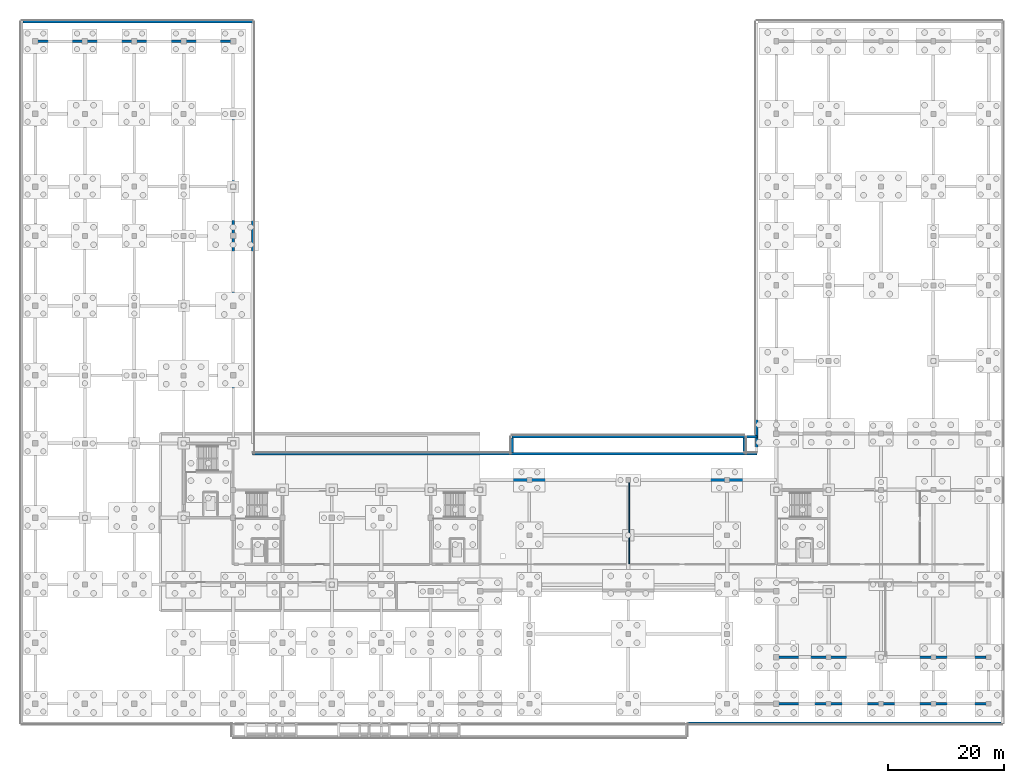
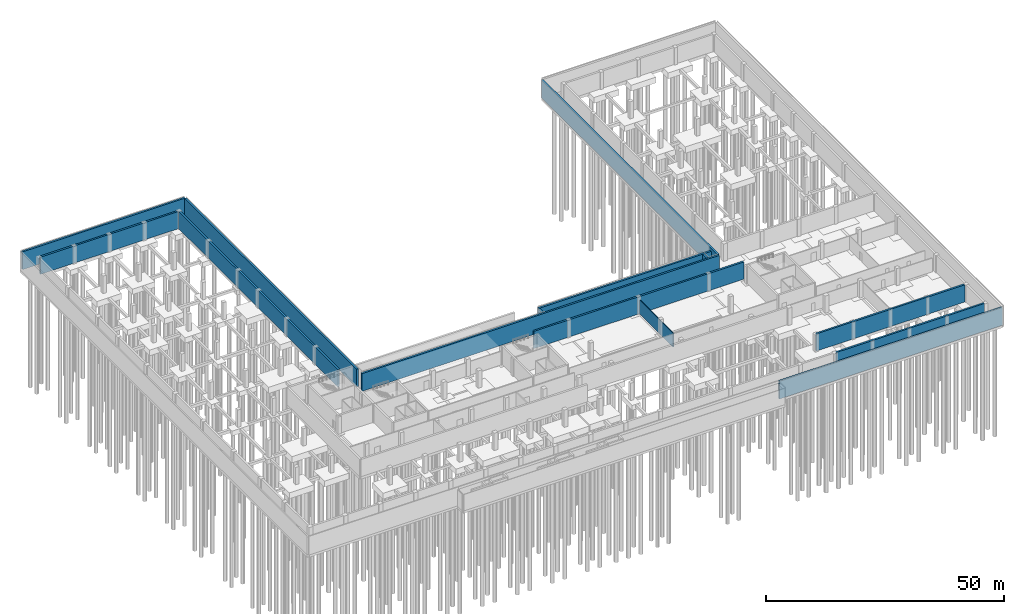
# One storey, part 14 of 25: 14 walls.
"""IFC4 building model written with IfcOpenShell, lengths in metres."""

from ifc_helpers import new_model, si_unit, direction, frame, frame_2d, origin, place, context, subcontext, project, spatial, rectangle, extrude, material, layer, layer_set, type_object, element, save


model = new_model("IFC4")

# Units and contexts
model_context = context("Model", 3, precision=1e-05, world=origin(), true_north=direction((0.0, 1.0)))
body_context = subcontext(model_context, "Body", "Model", "MODEL_VIEW")
ifc_project = project(units=[si_unit("LENGTHUNIT", "METRE"), si_unit("AREAUNIT", "SQUARE_METRE"), si_unit("VOLUMEUNIT", "CUBIC_METRE"), si_unit("PLANEANGLEUNIT", "RADIAN"), si_unit("MASSUNIT", "GRAM", prefix="KILO")], contexts=[model_context])

# Site, building, storey
site_placement = place(None, origin())
site = spatial("IfcSite", under=ifc_project, at=site_placement, CompositionType="ELEMENT")
building_placement = place(site_placement, origin())
building = spatial("IfcBuilding", under=site, at=building_placement, Name="Solvikara Media Centre", CompositionType="ELEMENT")
storey_placement = place(building_placement, frame((0.0, 0.0, -4.800048828125)))
storey = spatial("IfcBuildingStorey", under=building, at=storey_placement, Name="B01", CompositionType="ELEMENT", Elevation=-4.800048828125)

# Walls
ifc_material_1 = material(Name="Concrete fc' 45 MPa (C45/55)", Category="concrete")
ifc_layer_1 = layer(ifc_material_1, 0.449951171875)
ifc_layer_set_1 = layer_set([ifc_layer_1], Name="Concrete fc' 45 MPa (C45/55)")
wall_type_1 = type_object("IfcWallType", Name="WT-01", PredefinedType="SHEAR", material=ifc_layer_set_1)
wall_1_placement = place(storey_placement, frame((76.5, 38.5, 0.0), z_axis=(0.0, 0.0, 1.0), x_axis=(1.0, 0.0, 0.0)))
element("IfcWall", 1, at=wall_1_placement, inside=storey, type_object=wall_type_1, Name="W-B01-05", PredefinedType="SHEAR", context=body_context, shape_type="SweptSolid", body=[
    extrude(rectangle(XDim=51.0, YDim=0.449951171875, at=frame_2d((25.5, 0.0))), origin(), (0.0, 0.0, 1.0), 4.420166015625),
])
wall_2_placement = place(storey_placement, frame((127.5, 8.0, 0.0), z_axis=(0.0, 0.0, 1.0), x_axis=(1.0, 0.0, 0.0)))
element("IfcWall", 2, at=wall_2_placement, inside=storey, type_object=wall_type_1, Name="W-B01-06", PredefinedType="SHEAR", context=body_context, shape_type="SweptSolid", body=[
    extrude(rectangle(XDim=36.050048828125, YDim=0.449951171875, at=frame_2d((18.02490234375, 0.0))), origin(), (0.0, 0.0, 1.0), 4.420166015625),
])
wall_3_placement = place(storey_placement, frame((-2.14990234375, 117.3798828125, 0.0), z_axis=(0.0, 0.0, 1.0), x_axis=(1.0, 0.0, 0.0)))
element("IfcWall", 3, at=wall_3_placement, inside=storey, type_object=wall_type_1, Name="W-B01-09", PredefinedType="SHEAR", context=body_context, shape_type="SweptSolid", body=[
    extrude(rectangle(XDim=39.52978515625, YDim=0.449951171875, at=frame_2d((19.764892578125, 0.0))), origin(), (0.0, 0.0, 1.0), 4.550048828125),
])
wall_4_placement = place(storey_placement, frame((37.3798828125, 44.800048828125, 0.0), z_axis=(0.0, 0.0, 1.0), x_axis=(0.0, 1.0, 0.0)))
element("IfcWall", 4, at=wall_4_placement, inside=storey, type_object=wall_type_1, Name="W-B01-10", PredefinedType="SHEAR", context=body_context, shape_type="SweptSolid", body=[
    extrude(rectangle(XDim=72.349853515625, YDim=0.449951171875, at=frame_2d((36.1748046875, 0.0))), origin(), (0.0, 0.0, 1.0), 4.550048828125),
])
wall_5_placement = place(storey_placement, frame((37.3798828125, 43.0, 0.0), z_axis=(0.0, 0.0, 1.0), x_axis=(1.0, 0.0, 0.0)))
element("IfcWall", 5, at=wall_5_placement, inside=storey, type_object=wall_type_1, Name="W-B01-11", PredefinedType="SHEAR", context=body_context, shape_type="SweptSolid", body=[
    extrude(rectangle(XDim=86.740234375, YDim=0.449951171875, at=frame_2d((43.3701171875, 0.0))), origin(), (0.0, 0.0, 1.0), 4.550048828125),
])
wall_6_placement = place(storey_placement, frame((124.1201171875, 43.219970703125, 0.0), z_axis=(0.0, 0.0, 1.0), x_axis=(0.0, 1.0, 0.0)))
element("IfcWall", 6, at=wall_6_placement, inside=storey, type_object=wall_type_1, Name="W-B01-12", PredefinedType="SHEAR", context=body_context, shape_type="SweptSolid", body=[
    extrude(rectangle(XDim=73.929931640625, YDim=0.449951171875, at=frame_2d((36.96484375, 0.0))), origin(), (0.0, 0.0, 1.0), 4.550048828125),
])
wall_7_placement = place(storey_placement, frame((112.0, -3.330078125, 0.0), z_axis=(0.0, 0.0, 1.0), x_axis=(1.0, 0.0, 0.0)))
element("IfcWall", 7, at=wall_7_placement, inside=storey, type_object=wall_type_1, Name="W-B01-16", PredefinedType="SHEAR", context=body_context, shape_type="SweptSolid", body=[
    extrude(rectangle(XDim=54.14990234375, YDim=0.449951171875, at=frame_2d((27.074951171875, 0.0))), origin(), (0.0, 0.0, 1.0), 4.550048828125),
])
wall_8_placement = place(storey_placement, frame((127.75, 0.0, 0.0), z_axis=(0.0, 0.0, 1.0), x_axis=(1.0, 0.0, 0.0)))
element("IfcWall", 8, at=wall_8_placement, inside=storey, type_object=wall_type_1, Name="W-B01-21", PredefinedType="SHEAR", context=body_context, shape_type="SweptSolid", body=[
    extrude(rectangle(XDim=36.0, YDim=0.449951171875, at=frame_2d((18.0, 0.0))), origin(), (0.0, 0.0, 1.0), 4.420166015625),
])
wall_9_placement = place(storey_placement, frame((0.25, 114.0, 0.0), z_axis=(0.0, 0.0, 1.0), x_axis=(1.0, 0.0, 0.0)))
element("IfcWall", 9, at=wall_9_placement, inside=storey, type_object=wall_type_1, Name="W-B01-23", PredefinedType="SHEAR", context=body_context, shape_type="SweptSolid", body=[
    extrude(rectangle(XDim=33.5, YDim=0.449951171875, at=frame_2d((16.75, 0.0))), origin(), (0.0, 0.0, 1.0), 4.420166015625),
])
wall_10_placement = place(storey_placement, frame((34.0, 46.75, 0.0), z_axis=(0.0, 0.0, 1.0), x_axis=(0.0, 1.0, 0.0)))
element("IfcWall", 10, at=wall_10_placement, inside=storey, type_object=wall_type_1, Name="W-B01-25", PredefinedType="SHEAR", context=body_context, shape_type="SweptSolid", body=[
    extrude(rectangle(XDim=67.0, YDim=0.449951171875, at=frame_2d((33.5, 0.0))), origin(), (0.0, 0.0, 1.0), 4.420166015625),
])
wall_11_placement = place(storey_placement, frame((82.0, 45.97998046875, 0.0), z_axis=(0.0, 0.0, 1.0), x_axis=(1.0, 0.0, 0.0)))
element("IfcWall", 11, at=wall_11_placement, inside=storey, type_object=wall_type_1, Name="W-B01-ARR-04", PredefinedType="SHEAR", context=body_context, shape_type="SweptSolid", body=[
    extrude(rectangle(XDim=42.1201171875, YDim=0.449951171875, at=frame_2d((21.06005859375, 0.0))), origin(), (0.0, 0.0, 1.0), 3.880126953125),
])
for number, where, z_axis, x_axis, name in (
    (12, (82.0, 43.22998046875, 0.0), (0.0, 0.0, 1.0), (0.0, 1.0, 0.0), "W-B01-ARR-05"),
    (13, (122.0, 43.22998046875, 0.0), (0.0, 0.0, 1.0), (0.0, 1.0, 0.0), "W-B01-ARR-06"),
):
    element("IfcWall", number, at=place(storey_placement, frame(where, z_axis=z_axis, x_axis=x_axis)), inside=storey, type_object=wall_type_1, Name=name, PredefinedType="SHEAR", context=body_context, shape_type="SweptSolid", body=[
        extrude(rectangle(XDim=2.52001953125, YDim=0.449951171875, at=frame_2d((1.260009765625, 0.0))), origin(), (0.0, 0.0, 1.0), 3.880126953125),
    ])
ifc_material_2 = material(Name="Fire-rated gypsum and mineral-wool shaft wall assembly")
ifc_layer_2 = layer(ifc_material_2, 0.179931640625)
ifc_layer_set_2 = layer_set([ifc_layer_2], Name="Fire-rated gypsum and mineral-wool shaft wall assembly")
wall_type_2 = type_object("IfcWallType", Name="WT-18", PredefinedType="PARTITIONING", material=ifc_layer_set_2)
wall_12_placement = place(storey_placement, frame((102.199951171875, 24.10009765625, 0.0), z_axis=(0.0, 0.0, 1.0), x_axis=(0.0, 1.0, 0.0)))
element("IfcWall", 14, at=wall_12_placement, inside=storey, type_object=wall_type_2, Name="PW-B01-007", PredefinedType="PARTITIONING", context=body_context, shape_type="SweptSolid", body=[
    extrude(rectangle(XDim=14.099853515625, YDim=0.179931640625, at=frame_2d((7.0498046875, 0.0))), origin(), (0.0, 0.0, 1.0), 3.590087890625),
])

save(model, "model.ifc")
